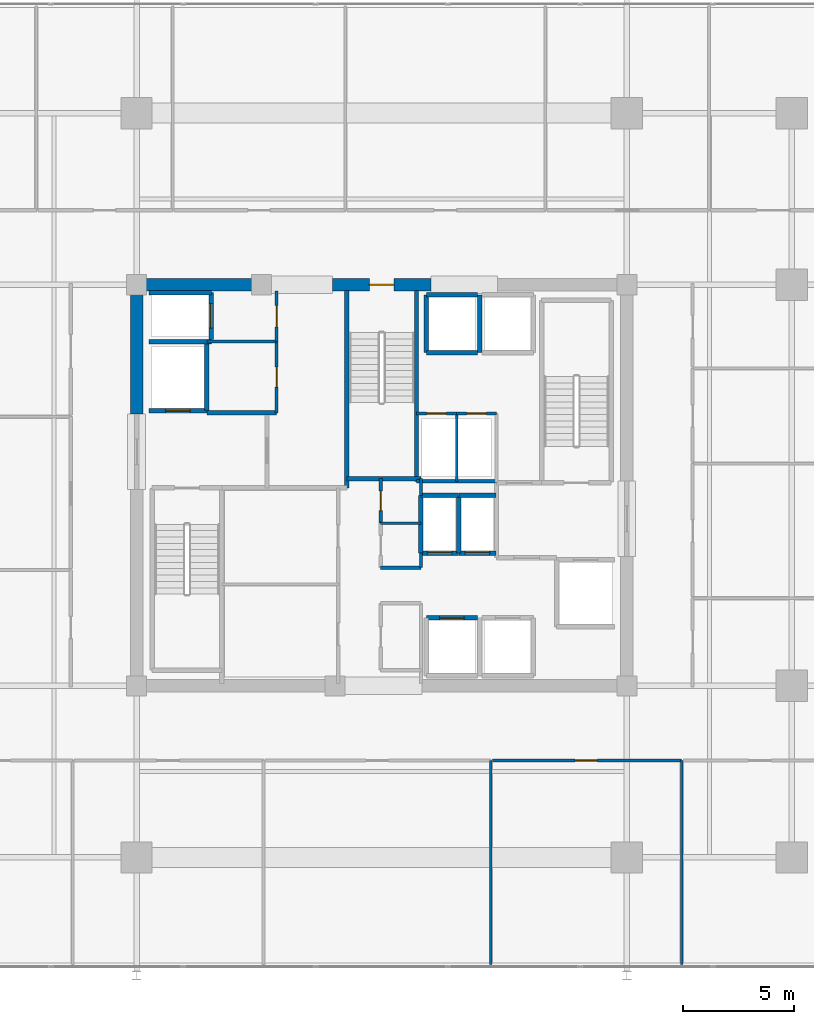
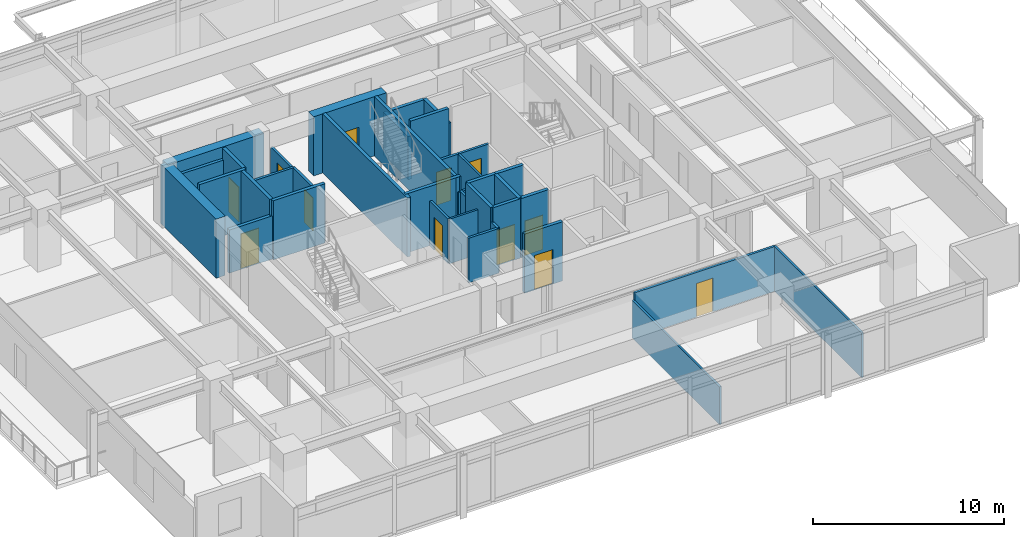
# One storey, part 15 of 21: 38 walls, 12 doors, 12 openings.
"""IFC4 building model written with IfcOpenShell, lengths in metres."""

from ifc_helpers import new_model, si_unit, direction, frame, frame_2d, origin, place, context, subcontext, project, spatial, rectangle, extrude, material, layer, layer_set, type_object, element, fill, save


model = new_model("IFC4")

# Units and contexts
model_context = context("Model", 3, precision=1e-05, world=origin(), true_north=direction((0.0, 1.0)))
body_context = subcontext(model_context, "Body", "Model", "MODEL_VIEW")
ifc_project = project(units=[si_unit("LENGTHUNIT", "METRE"), si_unit("AREAUNIT", "SQUARE_METRE"), si_unit("VOLUMEUNIT", "CUBIC_METRE"), si_unit("PLANEANGLEUNIT", "RADIAN"), si_unit("MASSUNIT", "GRAM", prefix="KILO")], contexts=[model_context])

# Site, building, storey
site_placement = place(None, origin())
site = spatial("IfcSite", under=ifc_project, at=site_placement, CompositionType="ELEMENT")
building_placement = place(site_placement, origin())
building = spatial("IfcBuilding", under=site, at=building_placement, Name="Kovane Verandah Tower", CompositionType="ELEMENT")
storey_placement = place(building_placement, frame((0.0, 0.0, 205.199951171875)))
storey = spatial("IfcBuildingStorey", under=building, at=storey_placement, Name="L47", CompositionType="ELEMENT", Elevation=205.199951171875)

# Walls
ifc_material_1 = material(Name="Fire-Rated Gypsum Stud Partition", Category="gypsum")
ifc_layer_1 = layer(ifc_material_1, 0.14990234375)
ifc_layer_set_1 = layer_set([ifc_layer_1], Name="Fire-Rated Gypsum Stud Partition")
wall_type_1 = type_object("IfcWallType", Name="WL-COR-150", PredefinedType="PARTITIONING", material=ifc_layer_set_1)
wall_1_placement = place(storey_placement, frame((39.949951171875, 23.800048828125, 0.0), z_axis=(0.0, 0.0, 1.0), x_axis=(1.0, 0.0, 0.0)))
element("IfcWall", 1, at=wall_1_placement, inside=storey, type_object=wall_type_1, Name="L47 Core Cross-Passage North Wall", PredefinedType="PARTITIONING", context=body_context, shape_type="SweptSolid", body=[
    extrude(rectangle(XDim=1.81005859375, YDim=0.14990234375, at=frame_2d((0.905029296875, 0.0))), origin(), (0.0, 0.0, 1.0), 2.85009765625),
])
wall_2_placement = place(storey_placement, frame((41.760009765625, 23.800048828125, 0.0), z_axis=(0.0, 0.0, 1.0), x_axis=(0.0, 1.0, 0.0)))
element("IfcWall", 2, at=wall_2_placement, inside=storey, type_object=wall_type_1, Name="L47 Central Core Strip Middle East Wall", PredefinedType="PARTITIONING", context=body_context, shape_type="SweptSolid", body=[
    extrude(rectangle(XDim=0.64990234375, YDim=0.14990234375, at=frame_2d((0.324951171875, 0.0))), origin(), (0.0, 0.0, 1.0), 2.85009765625),
])
wall_3_placement = place(storey_placement, frame((41.760009765625, 27.050048828125, 0.0), z_axis=(0.0, 0.0, 1.0), x_axis=(0.0, 1.0, 0.0)))
element("IfcWall", 3, at=wall_3_placement, inside=storey, type_object=wall_type_1, Name="L47 Central Core Strip Upper East Wall", PredefinedType="PARTITIONING", context=body_context, shape_type="SweptSolid", body=[
    extrude(rectangle(XDim=0.75, YDim=0.14990234375, at=frame_2d((0.375, 0.0))), origin(), (0.0, 0.0, 1.0), 2.85009765625),
])

# Wall, opening, door
wall_4_placement = place(storey_placement, frame((39.949951171875, 25.800048828125, 0.0), z_axis=(0.0, 0.0, 1.0), x_axis=(0.0, 1.0, 0.0)))
wall_4 = element("IfcWall", 4, at=wall_4_placement, inside=storey, type_object=wall_type_1, Name="L47 Electrical Riser Room Partition", PredefinedType="PARTITIONING", context=body_context, shape_type="SweptSolid", body=[
    extrude(rectangle(XDim=2.0, YDim=0.14990234375, at=frame_2d((1.0, 0.0))), origin(), (0.0, 0.0, 1.0), 2.85009765625),
])
opening_1_placement = place(wall_4_placement, frame((0.56005859375, 0.0, 0.0)))
opening_1 = element("IfcOpeningElement", 5, at=opening_1_placement, cuts=wall_4, Name="Opening DR-L47-031", PredefinedType="OPENING", context=body_context, shape_type="SweptSolid", body=[
    extrude(rectangle(XDim=0.8798828125, YDim=2.10009765625, at=frame_2d((0.43994140625, 1.050048828125))), frame((0.0, 0.074951171875, 0.0), z_axis=(0.0, -1.0, 0.0), x_axis=(1.0, 0.0, 0.0)), (0.0, 0.0, 1.0), 0.14990234375),
])
ifc_material_2 = material(Name="Fire-Rated Steel Riser Access Door", Category="steel")
door_type_1 = type_object("IfcDoorType", Name="DR-RISER-880", OperationType="SINGLE_SWING_LEFT", PredefinedType="DOOR", material=ifc_material_2)
door_1_placement = place(opening_1_placement, origin())
door_1 = element("IfcDoor", 6, at=door_1_placement, inside=storey, type_object=door_type_1, Name="L47 Electrical Riser Room Door", OperationType="SINGLE_SWING_LEFT", OverallHeight=2.10009765625, OverallWidth=0.8798828125, PredefinedType="DOOR", context=body_context, shape_type="SweptSolid", body=[
    extrude(rectangle(XDim=0.8798828125, YDim=2.10009765625, at=frame_2d((0.43994140625, 1.050048828125))), frame((0.0, 0.02490234375, 0.0), z_axis=(0.0, -1.0, 0.0), x_axis=(1.0, 0.0, 0.0)), (0.0, 0.0, 1.0), 0.050048828125),
])
fill(opening_1, door_1)

# Wall
wall_5_placement = place(storey_placement, frame((32.14990234375, 33.949951171875, 0.0), z_axis=(0.0, 0.0, 1.0), x_axis=(1.0, 0.0, 0.0)))
element("IfcWall", 7, at=wall_5_placement, inside=storey, type_object=wall_type_1, Name="L47 Goods Lift Lobby South Wall", PredefinedType="PARTITIONING", context=body_context, shape_type="SweptSolid", body=[
    extrude(rectangle(XDim=3.130126953125, YDim=0.14990234375, at=frame_2d((1.56494140625, 0.0))), origin(), (0.0, 0.0, 1.0), 2.85009765625),
])

# Wall, opening, door
wall_6_placement = place(storey_placement, frame((35.280029296875, 33.949951171875, 0.0), z_axis=(0.0, 0.0, 1.0), x_axis=(0.0, 1.0, 0.0)))
wall_6 = element("IfcWall", 8, at=wall_6_placement, inside=storey, type_object=wall_type_1, Name="L47 Goods Lift Lobby East Fire Partition", PredefinedType="PARTITIONING", context=body_context, shape_type="SweptSolid", body=[
    extrude(rectangle(XDim=2.27001953125, YDim=0.14990234375, at=frame_2d((1.135009765625, 0.0))), origin(), (0.0, 0.0, 1.0), 2.755126953125),
])
opening_2_placement = place(wall_6_placement, frame((0.659912109375, 0.0, 0.0)))
opening_2 = element("IfcOpeningElement", 9, at=opening_2_placement, cuts=wall_6, Name="Opening DR-L47-008", PredefinedType="OPENING", context=body_context, shape_type="SweptSolid", body=[
    extrude(rectangle(XDim=0.949951171875, YDim=2.14990234375, at=frame_2d((0.47509765625, 1.074951171875))), frame((0.0, 0.074951171875, 0.0), z_axis=(0.0, -1.0, 0.0), x_axis=(1.0, 0.0, 0.0)), (0.0, 0.0, 1.0), 0.14990234375),
])
ifc_material_3 = material(Name="Fire-Rated Steel Refuge and Lobby Door", Category="steel")
door_type_2 = type_object("IfcDoorType", Name="DR-FIRE-950", OperationType="SINGLE_SWING_LEFT", PredefinedType="DOOR", material=ifc_material_3)
door_2_placement = place(opening_2_placement, origin())
door_2 = element("IfcDoor", 10, at=door_2_placement, inside=storey, type_object=door_type_2, Name="L47 Goods Lift Lobby Fire Door", OperationType="SINGLE_SWING_RIGHT", OverallHeight=2.14990234375, OverallWidth=0.949951171875, PredefinedType="DOOR", context=body_context, shape_type="SweptSolid", body=[
    extrude(rectangle(XDim=0.949951171875, YDim=2.14990234375, at=frame_2d((0.47509765625, 1.074951171875))), frame((0.0, 0.02490234375, 0.0), z_axis=(0.0, -1.0, 0.0), x_axis=(1.0, 0.0, 0.0)), (0.0, 0.0, 1.0), 0.050048828125),
])
fill(opening_2, door_2)

wall_7_placement = place(storey_placement, frame((35.280029296875, 30.75, 0.0), z_axis=(0.0, 0.0, 1.0), x_axis=(0.0, 1.0, 0.0)))
wall_7 = element("IfcWall", 11, at=wall_7_placement, inside=storey, type_object=wall_type_1, Name="L47 Accessible Unisex Toilet Partition", PredefinedType="PARTITIONING", context=body_context, shape_type="SweptSolid", body=[
    extrude(rectangle(XDim=3.199951171875, YDim=0.14990234375, at=frame_2d((1.60009765625, 0.0))), origin(), (0.0, 0.0, 1.0), 2.85009765625),
])
opening_3_placement = place(wall_7_placement, frame((1.14990234375, 0.0, 0.0)))
opening_3 = element("IfcOpeningElement", 12, at=opening_3_placement, cuts=wall_7, Name="Opening DR-L47-032", PredefinedType="OPENING", context=body_context, shape_type="SweptSolid", body=[
    extrude(rectangle(XDim=0.89990234375, YDim=2.10009765625, at=frame_2d((0.449951171875, 1.050048828125))), frame((0.0, 0.074951171875, 0.0), z_axis=(0.0, -1.0, 0.0), x_axis=(1.0, 0.0, 0.0)), (0.0, 0.0, 1.0), 0.14990234375),
])
ifc_material_4 = material(Name="Moisture-Resistant Laminate Washroom Door", Category="wood")
door_type_3 = type_object("IfcDoorType", Name="DR-WC-900", OperationType="SINGLE_SWING_LEFT", PredefinedType="DOOR", material=ifc_material_4)
door_3_placement = place(opening_3_placement, origin())
door_3 = element("IfcDoor", 13, at=door_3_placement, inside=storey, type_object=door_type_3, Name="L47 Accessible Unisex Toilet Door", OperationType="SINGLE_SWING_LEFT", OverallHeight=2.10009765625, OverallWidth=0.89990234375, PredefinedType="DOOR", context=body_context, shape_type="SweptSolid", body=[
    extrude(rectangle(XDim=0.89990234375, YDim=2.10009765625, at=frame_2d((0.449951171875, 1.050048828125))), frame((0.0, 0.02490234375, 0.0), z_axis=(0.0, -1.0, 0.0), x_axis=(1.0, 0.0, 0.0)), (0.0, 0.0, 1.0), 0.050048828125),
])
fill(opening_3, door_3)

# Wall
wall_8_placement = place(storey_placement, frame((41.56005859375, 27.679931640625, 0.0), z_axis=(0.0, 0.0, 1.0), x_axis=(1.0, 0.0, 0.0)))
element("IfcWall", 14, at=wall_8_placement, inside=storey, type_object=wall_type_1, Name="L47 East Core Service Riser South Wall", PredefinedType="PARTITIONING", context=body_context, shape_type="SweptSolid", body=[
    extrude(rectangle(XDim=3.58984375, YDim=0.14990234375, at=frame_2d((1.794921875, 0.0))), origin(), (0.0, 0.0, 1.0), 2.85009765625),
])

# Wall, opening, door
wall_9_placement = place(storey_placement, frame((41.56005859375, 30.719970703125, 0.0), z_axis=(0.0, 0.0, 1.0), x_axis=(1.0, 0.0, 0.0)))
wall_9 = element("IfcWall", 15, at=wall_9_placement, inside=storey, type_object=wall_type_1, Name="L47 Chilled Water Riser Room Partition", PredefinedType="PARTITIONING", context=body_context, shape_type="SweptSolid", body=[
    extrude(rectangle(XDim=1.800048828125, YDim=0.14990234375, at=frame_2d((0.89990234375, 0.0))), origin(), (0.0, 0.0, 1.0), 2.85009765625),
])
opening_4_placement = place(wall_9_placement, frame((0.4599609375, 0.0, 0.0)))
opening_4 = element("IfcOpeningElement", 16, at=opening_4_placement, cuts=wall_9, Name="Opening DR-L47-018", PredefinedType="OPENING", context=body_context, shape_type="SweptSolid", body=[
    extrude(rectangle(XDim=0.8798828125, YDim=2.10009765625, at=frame_2d((0.43994140625, 1.050048828125))), frame((0.0, 0.074951171875, 0.0), z_axis=(0.0, -1.0, 0.0), x_axis=(1.0, 0.0, 0.0)), (0.0, 0.0, 1.0), 0.14990234375),
])
door_4_placement = place(opening_4_placement, origin())
door_4 = element("IfcDoor", 17, at=door_4_placement, inside=storey, type_object=door_type_1, Name="L47 Chilled Water Riser Room Door", OperationType="SINGLE_SWING_RIGHT", OverallHeight=2.10009765625, OverallWidth=0.8798828125, PredefinedType="DOOR", context=body_context, shape_type="SweptSolid", body=[
    extrude(rectangle(XDim=0.8798828125, YDim=2.10009765625, at=frame_2d((0.43994140625, 1.050048828125))), frame((0.0, 0.02490234375, 0.0), z_axis=(0.0, -1.0, 0.0), x_axis=(1.0, 0.0, 0.0)), (0.0, 0.0, 1.0), 0.050048828125),
])
fill(opening_4, door_4)

wall_10_placement = place(storey_placement, frame((43.360107421875, 30.719970703125, 0.0), z_axis=(0.0, 0.0, 1.0), x_axis=(1.0, 0.0, 0.0)))
wall_10 = element("IfcWall", 18, at=wall_10_placement, inside=storey, type_object=wall_type_1, Name="L47 Smoke Extract Duct Room Partition", PredefinedType="PARTITIONING", context=body_context, shape_type="SweptSolid", body=[
    extrude(rectangle(XDim=1.789794921875, YDim=0.14990234375, at=frame_2d((0.89501953125, 0.0))), origin(), (0.0, 0.0, 1.0), 2.85009765625),
])
opening_5_placement = place(wall_10_placement, frame((0.455078125, 0.0, 0.0)))
opening_5 = element("IfcOpeningElement", 19, at=opening_5_placement, cuts=wall_10, Name="Opening DR-L47-019", PredefinedType="OPENING", context=body_context, shape_type="SweptSolid", body=[
    extrude(rectangle(XDim=0.8798828125, YDim=2.10009765625, at=frame_2d((0.43994140625, 1.050048828125))), frame((0.0, 0.074951171875, 0.0), z_axis=(0.0, -1.0, 0.0), x_axis=(1.0, 0.0, 0.0)), (0.0, 0.0, 1.0), 0.14990234375),
])
door_5_placement = place(opening_5_placement, origin())
door_5 = element("IfcDoor", 20, at=door_5_placement, inside=storey, type_object=door_type_1, Name="L47 Smoke Extract Duct Room Door", OperationType="SINGLE_SWING_LEFT", OverallHeight=2.10009765625, OverallWidth=0.8798828125, PredefinedType="DOOR", context=body_context, shape_type="SweptSolid", body=[
    extrude(rectangle(XDim=0.8798828125, YDim=2.10009765625, at=frame_2d((0.43994140625, 1.050048828125))), frame((0.0, 0.02490234375, 0.0), z_axis=(0.0, -1.0, 0.0), x_axis=(1.0, 0.0, 0.0)), (0.0, 0.0, 1.0), 0.050048828125),
])
fill(opening_5, door_5)

wall_11_placement = place(storey_placement, frame((44.966064453125, 15.14990234375, 0.0), z_axis=(0.0, 0.0, 1.0), x_axis=(1.0, 0.0, 0.0)))
wall_11 = element("IfcWall", 21, at=wall_11_placement, inside=storey, type_object=wall_type_1, Name="L47 Collaboration Hub S4 Corridor Partition", PredefinedType="PARTITIONING", context=body_context, shape_type="SweptSolid", body=[
    extrude(rectangle(XDim=8.498046875, YDim=0.14990234375, at=frame_2d((4.2490234375, 0.0))), origin(), (0.0, 0.0, 1.0), 2.85009765625),
])
opening_6_placement = place(wall_11_placement, frame((3.714111328125, 0.0, 0.0)))
opening_6 = element("IfcOpeningElement", 22, at=opening_6_placement, cuts=wall_11, Name="Opening DR-L47-029", PredefinedType="OPENING", context=body_context, shape_type="SweptSolid", body=[
    extrude(rectangle(XDim=1.0, YDim=2.14990234375, at=frame_2d((0.5, 1.074951171875))), frame((0.0, 0.074951171875, 0.0), z_axis=(0.0, -1.0, 0.0), x_axis=(1.0, 0.0, 0.0)), (0.0, 0.0, 1.0), 0.14990234375),
])
ifc_material_5 = material(Name="FSC Spotted-Gum Timber Fire-Rated Office Door", Category="wood")
door_type_4 = type_object("IfcDoorType", Name="DR-OFF-1000", OperationType="SINGLE_SWING_LEFT", PredefinedType="DOOR", material=ifc_material_5)
door_6_placement = place(opening_6_placement, origin())
door_6 = element("IfcDoor", 23, at=door_6_placement, inside=storey, type_object=door_type_4, Name="L47 Collaboration Hub S4 Entrance Door", OperationType="SINGLE_SWING_LEFT", OverallHeight=2.14990234375, OverallWidth=1.0, PredefinedType="DOOR", context=body_context, shape_type="SweptSolid", body=[
    extrude(rectangle(XDim=1.0, YDim=2.14990234375, at=frame_2d((0.5, 1.074951171875))), frame((0.0, 0.02490234375, 0.0), z_axis=(0.0, -1.0, 0.0), x_axis=(1.0, 0.0, 0.0)), (0.0, 0.0, 1.0), 0.050048828125),
])
fill(opening_6, door_6)

# Wall
ifc_material_6 = material(Name="Concrete C60/75", Category="concrete")
ifc_layer_2 = layer(ifc_material_6, 0.550048828125)
ifc_layer_set_2 = layer_set([ifc_layer_2], Name="Concrete C60/75")
wall_type_2 = type_object("IfcWallType", Name="WL-CORE-550", PredefinedType="SHEAR", material=ifc_layer_set_2)
wall_12_placement = place(storey_placement, frame((29.0, 36.5, 0.0), z_axis=(0.0, 0.0, 1.0), x_axis=(1.0, 0.0, 0.0)))
element("IfcWall", 24, at=wall_12_placement, inside=storey, type_object=wall_type_2, Name="L47 Core Shear Wall CN-1", PredefinedType="SHEAR", context=body_context, shape_type="SweptSolid", body=[
    extrude(rectangle(XDim=5.800048828125, YDim=0.550048828125, at=frame_2d((2.89990234375, 0.0))), origin(), (0.0, 0.0, 1.0), 3.775146484375),
])

# Wall, opening, door
wall_13_placement = place(storey_placement, frame((37.800048828125, 36.5, 0.0), z_axis=(0.0, 0.0, 1.0), x_axis=(1.0, 0.0, 0.0)))
wall_13 = element("IfcWall", 25, at=wall_13_placement, inside=storey, type_object=wall_type_2, Name="L47 Core Shear Wall CN-2", PredefinedType="SHEAR", context=body_context, shape_type="SweptSolid", body=[
    extrude(rectangle(XDim=4.39990234375, YDim=0.550048828125, at=frame_2d((2.199951171875, 0.0))), origin(), (0.0, 0.0, 1.0), 3.775146484375),
])
opening_7_placement = place(wall_13_placement, frame((1.64990234375, 0.0, 0.0)))
opening_7 = element("IfcOpeningElement", 26, at=opening_7_placement, cuts=wall_13, Name="Opening DR-L47-011", PredefinedType="OPENING", context=body_context, shape_type="SweptSolid", body=[
    extrude(rectangle(XDim=1.10009765625, YDim=2.14990234375, at=frame_2d((0.550048828125, 1.074951171875))), frame((0.0, 0.27490234375, 0.0), z_axis=(0.0, -1.0, 0.0), x_axis=(1.0, 0.0, 0.0)), (0.0, 0.0, 1.0), 0.550048828125),
])
ifc_material_7 = material(Name="Fire-Rated Steel Exit Door", Category="steel")
door_type_5 = type_object("IfcDoorType", Name="DR-STAIR-1100", OperationType="SINGLE_SWING_LEFT", PredefinedType="DOOR", material=ifc_material_7)
door_7_placement = place(opening_7_placement, origin())
door_7 = element("IfcDoor", 27, at=door_7_placement, inside=storey, type_object=door_type_5, Name="L47 ST-03 Fire Exit Stair Door", OperationType="SINGLE_SWING_RIGHT", OverallHeight=2.14990234375, OverallWidth=1.10009765625, PredefinedType="DOOR", context=body_context, shape_type="SweptSolid", body=[
    extrude(rectangle(XDim=1.10009765625, YDim=2.14990234375, at=frame_2d((0.550048828125, 1.074951171875))), frame((0.0, 0.02490234375, 0.0), z_axis=(0.0, -1.0, 0.0), x_axis=(1.0, 0.0, 0.0)), (0.0, 0.0, 1.0), 0.050048828125),
])
fill(opening_7, door_7)

# Walls
wall_14_placement = place(storey_placement, frame((29.0, 30.699951171875, 0.0), z_axis=(0.0, 0.0, 1.0), x_axis=(0.0, 1.0, 0.0)))
element("IfcWall", 28, at=wall_14_placement, inside=storey, type_object=wall_type_2, Name="L47 Core Shear Wall CW-2", PredefinedType="SHEAR", context=body_context, shape_type="SweptSolid", body=[
    extrude(rectangle(XDim=5.800048828125, YDim=0.550048828125, at=frame_2d((2.89990234375, 0.0))), origin(), (0.0, 0.0, 1.0), 3.775146484375),
])
ifc_material_8 = material(Name="Concrete C45/55 Fire Wall", Category="concrete")
ifc_layer_3 = layer(ifc_material_8, 0.199951171875)
ifc_layer_set_3 = layer_set([ifc_layer_3], Name="Concrete C45/55 Fire Wall")
wall_type_3 = type_object("IfcWallType", Name="WL-FFL-200", PredefinedType="PARTITIONING", material=ifc_layer_set_3)
wall_15_placement = place(storey_placement, frame((32.14990234375, 30.75, 0.0), z_axis=(0.0, 0.0, 1.0), x_axis=(1.0, 0.0, 0.0)))
element("IfcWall", 29, at=wall_15_placement, inside=storey, type_object=wall_type_3, Name="L47 West Firefighting Lobby North Fire Wall", PredefinedType="PARTITIONING", context=body_context, shape_type="SweptSolid", body=[
    extrude(rectangle(XDim=3.130126953125, YDim=0.199951171875, at=frame_2d((1.56494140625, 0.0))), origin(), (0.0, 0.0, 1.0), 3.775146484375),
])

# Wall, opening, door
ifc_material_9 = material(Name="Concrete C45/55 Lift Shaft Wall", Category="concrete")
ifc_layer_4 = layer(ifc_material_9, 0.199951171875)
ifc_layer_set_4 = layer_set([ifc_layer_4], Name="Concrete C45/55 Lift Shaft Wall")
wall_type_4 = type_object("IfcWallType", Name="WL-LIFT-200", PredefinedType="SOLIDWALL", material=ifc_layer_set_4)
wall_16_placement = place(storey_placement, frame((29.550048828125, 30.85009765625, 0.0), z_axis=(0.0, 0.0, 1.0), x_axis=(1.0, 0.0, 0.0)))
wall_16 = element("IfcWall", 30, at=wall_16_placement, inside=storey, type_object=wall_type_4, Name="L47 Lift FL-01 S Shaft Wall", PredefinedType="SOLIDWALL", context=body_context, shape_type="SweptSolid", body=[
    extrude(rectangle(XDim=2.599853515625, YDim=0.199951171875, at=frame_2d((1.2998046875, 0.0))), origin(), (0.0, 0.0, 1.0), 2.755126953125),
])
opening_8_placement = place(wall_16_placement, frame((0.75, 0.0, 0.0)))
opening_8 = element("IfcOpeningElement", 31, at=opening_8_placement, cuts=wall_16, Name="Opening LD-L47-001", PredefinedType="OPENING", context=body_context, shape_type="SweptSolid", body=[
    extrude(rectangle(XDim=1.10009765625, YDim=2.199951171875, at=frame_2d((0.550048828125, 1.10009765625))), frame((0.0, 0.10009765625, 0.0), z_axis=(0.0, -1.0, 0.0), x_axis=(1.0, 0.0, 0.0)), (0.0, 0.0, 1.0), 0.199951171875),
])
ifc_material_10 = material(Name="Brushed Stainless Steel Sliding Lift Landing Door", Category="steel")
door_type_6 = type_object("IfcDoorType", Name="DR-LIFT-1100", OperationType="SLIDING_TO_RIGHT", PredefinedType="DOOR", material=ifc_material_10)
door_8_placement = place(opening_8_placement, origin())
door_8 = element("IfcDoor", 32, at=door_8_placement, inside=storey, type_object=door_type_6, Name="L47 Lift FL-01 Sliding Landing Door", OperationType="SLIDING_TO_RIGHT", OverallHeight=2.199951171875, OverallWidth=1.10009765625, PredefinedType="DOOR", context=body_context, shape_type="SweptSolid", body=[
    extrude(rectangle(XDim=1.10009765625, YDim=2.199951171875, at=frame_2d((0.550048828125, 1.10009765625))), frame((0.0, 0.02490234375, 0.0), z_axis=(0.0, -1.0, 0.0), x_axis=(1.0, 0.0, 0.0)), (0.0, 0.0, 1.0), 0.050048828125),
])
fill(opening_8, door_8)

# Walls
wall_17_placement = place(storey_placement, frame((29.550048828125, 33.949951171875, 0.0), z_axis=(0.0, 0.0, 1.0), x_axis=(1.0, 0.0, 0.0)))
element("IfcWall", 33, at=wall_17_placement, inside=storey, type_object=wall_type_4, Name="L47 Lift FL-01 and GL-01 Shared Shaft Wall", PredefinedType="SOLIDWALL", context=body_context, shape_type="SweptSolid", body=[
    extrude(rectangle(XDim=2.800048828125, YDim=0.199951171875, at=frame_2d((1.39990234375, 0.0))), origin(), (0.0, 0.0, 1.0), 3.775146484375),
])
wall_18_placement = place(storey_placement, frame((32.14990234375, 30.85009765625, 0.0), z_axis=(0.0, 0.0, 1.0), x_axis=(0.0, 1.0, 0.0)))
element("IfcWall", 34, at=wall_18_placement, inside=storey, type_object=wall_type_4, Name="L47 Lift FL-01 E Shaft Wall", PredefinedType="SOLIDWALL", context=body_context, shape_type="SweptSolid", body=[
    extrude(rectangle(XDim=3.0, YDim=0.199951171875, at=frame_2d((1.5, 0.0))), origin(), (0.0, 0.0, 1.0), 3.775146484375),
])
wall_19_placement = place(storey_placement, frame((32.35009765625, 36.14990234375, 0.0), z_axis=(0.0, 0.0, 1.0), x_axis=(-1.0, 0.0, 0.0)))
element("IfcWall", 35, at=wall_19_placement, inside=storey, type_object=wall_type_4, Name="L47 Lift GL-01 N Shaft Wall", PredefinedType="SOLIDWALL", context=body_context, shape_type="SweptSolid", body=[
    extrude(rectangle(XDim=2.800048828125, YDim=0.199951171875, at=frame_2d((1.39990234375, 0.0))), origin(), (0.0, 0.0, 1.0), 3.06201171875),
])

# Wall, opening, door
wall_20_placement = place(storey_placement, frame((32.35009765625, 34.050048828125, 0.0), z_axis=(0.0, 0.0, 1.0), x_axis=(0.0, 1.0, 0.0)))
wall_20 = element("IfcWall", 36, at=wall_20_placement, inside=storey, type_object=wall_type_4, Name="L47 Lift GL-01 E Shaft Wall", PredefinedType="SOLIDWALL", context=body_context, shape_type="SweptSolid", body=[
    extrude(rectangle(XDim=2.099853515625, YDim=0.199951171875, at=frame_2d((1.0498046875, 0.0))), origin(), (0.0, 0.0, 1.0), 3.775146484375),
])
opening_9_placement = place(wall_20_placement, frame((0.5, 0.0, 0.0)))
opening_9 = element("IfcOpeningElement", 37, at=opening_9_placement, cuts=wall_20, Name="Opening LD-L47-003", PredefinedType="OPENING", context=body_context, shape_type="SweptSolid", body=[
    extrude(rectangle(XDim=1.10009765625, YDim=2.199951171875, at=frame_2d((0.550048828125, 1.10009765625))), frame((0.0, 0.10009765625, 0.0), z_axis=(0.0, -1.0, 0.0), x_axis=(1.0, 0.0, 0.0)), (0.0, 0.0, 1.0), 0.199951171875),
])
door_9_placement = place(opening_9_placement, origin())
door_9 = element("IfcDoor", 38, at=door_9_placement, inside=storey, type_object=door_type_6, Name="L47 Lift GL-01 Sliding Landing Door", OperationType="SLIDING_TO_RIGHT", OverallHeight=2.199951171875, OverallWidth=1.10009765625, PredefinedType="DOOR", context=body_context, shape_type="SweptSolid", body=[
    extrude(rectangle(XDim=1.10009765625, YDim=2.199951171875, at=frame_2d((0.550048828125, 1.10009765625))), frame((0.0, 0.02490234375, 0.0), z_axis=(0.0, -1.0, 0.0), x_axis=(1.0, 0.0, 0.0)), (0.0, 0.0, 1.0), 0.050048828125),
])
fill(opening_9, door_9)

wall_21_placement = place(storey_placement, frame((44.300048828125, 21.550048828125, 0.0), z_axis=(0.0, 0.0, 1.0), x_axis=(-1.0, 0.0, 0.0)))
wall_21 = element("IfcWall", 39, at=wall_21_placement, inside=storey, type_object=wall_type_4, Name="L47 Lift PL-M1 N Shaft Wall", PredefinedType="SOLIDWALL", context=body_context, shape_type="SweptSolid", body=[
    extrude(rectangle(XDim=2.300048828125, YDim=0.199951171875, at=frame_2d((1.14990234375, 0.0))), origin(), (0.0, 0.0, 1.0), 3.775146484375),
])
opening_10_placement = place(wall_21_placement, frame((0.60009765625, 0.0, 0.0)))
opening_10 = element("IfcOpeningElement", 40, at=opening_10_placement, cuts=wall_21, Name="Opening LD-L47-004", PredefinedType="OPENING", context=body_context, shape_type="SweptSolid", body=[
    extrude(rectangle(XDim=1.10009765625, YDim=2.199951171875, at=frame_2d((0.550048828125, 1.10009765625))), frame((0.0, 0.10009765625, 0.0), z_axis=(0.0, -1.0, 0.0), x_axis=(1.0, 0.0, 0.0)), (0.0, 0.0, 1.0), 0.199951171875),
])
door_10_placement = place(opening_10_placement, origin())
door_10 = element("IfcDoor", 41, at=door_10_placement, inside=storey, type_object=door_type_6, Name="L47 Lift PL-M1 Sliding Landing Door", OperationType="SLIDING_TO_RIGHT", OverallHeight=2.199951171875, OverallWidth=1.10009765625, PredefinedType="DOOR", context=body_context, shape_type="SweptSolid", body=[
    extrude(rectangle(XDim=1.10009765625, YDim=2.199951171875, at=frame_2d((0.550048828125, 1.10009765625))), frame((0.0, 0.02490234375, 0.0), z_axis=(0.0, -1.0, 0.0), x_axis=(1.0, 0.0, 0.0)), (0.0, 0.0, 1.0), 0.050048828125),
])
fill(opening_10, door_10)

wall_22_placement = place(storey_placement, frame((41.760009765625, 24.449951171875, 0.0), z_axis=(0.0, 0.0, 1.0), x_axis=(1.0, 0.0, 0.0)))
wall_22 = element("IfcWall", 42, at=wall_22_placement, inside=storey, type_object=wall_type_4, Name="L47 Lift PL-M3 S Shaft Wall", PredefinedType="SOLIDWALL", context=body_context, shape_type="SweptSolid", body=[
    extrude(rectangle(XDim=1.679931640625, YDim=0.199951171875, at=frame_2d((0.83984375, 0.0))), origin(), (0.0, 0.0, 1.0), 3.775146484375),
])
opening_11_placement = place(wall_22_placement, frame((0.2900390625, 0.0, 0.0)))
opening_11 = element("IfcOpeningElement", 43, at=opening_11_placement, cuts=wall_22, Name="Opening LD-L47-006", PredefinedType="OPENING", context=body_context, shape_type="SweptSolid", body=[
    extrude(rectangle(XDim=1.10009765625, YDim=2.199951171875, at=frame_2d((0.550048828125, 1.10009765625))), frame((0.0, 0.10009765625, 0.0), z_axis=(0.0, -1.0, 0.0), x_axis=(1.0, 0.0, 0.0)), (0.0, 0.0, 1.0), 0.199951171875),
])
door_11_placement = place(opening_11_placement, origin())
door_11 = element("IfcDoor", 44, at=door_11_placement, inside=storey, type_object=door_type_6, Name="L47 Lift PL-M3 Sliding Landing Door", OperationType="SLIDING_TO_RIGHT", OverallHeight=2.199951171875, OverallWidth=1.10009765625, PredefinedType="DOOR", context=body_context, shape_type="SweptSolid", body=[
    extrude(rectangle(XDim=1.10009765625, YDim=2.199951171875, at=frame_2d((0.550048828125, 1.10009765625))), frame((0.0, 0.02490234375, 0.0), z_axis=(0.0, -1.0, 0.0), x_axis=(1.0, 0.0, 0.0)), (0.0, 0.0, 1.0), 0.050048828125),
])
fill(opening_11, door_11)

# Walls
wall_23_placement = place(storey_placement, frame((43.43994140625, 27.050048828125, 0.0), z_axis=(0.0, 0.0, 1.0), x_axis=(-1.0, 0.0, 0.0)))
element("IfcWall", 45, at=wall_23_placement, inside=storey, type_object=wall_type_4, Name="L47 Lift PL-M3 N Shaft Wall", PredefinedType="SOLIDWALL", context=body_context, shape_type="SweptSolid", body=[
    extrude(rectangle(XDim=1.679931640625, YDim=0.199951171875, at=frame_2d((0.83984375, 0.0))), origin(), (0.0, 0.0, 1.0), 3.775146484375),
])
for number, where, z_axis, x_axis, name in (
    (46, (41.760009765625, 27.050048828125, 0.0), (0.0, 0.0, 1.0), (0.0, -1.0, 0.0), "L47 Lift PL-M3 W Shaft Wall"),
    (47, (43.449951171875, 24.449951171875, 0.0), (0.0, 0.0, 1.0), (0.0, 1.0, 0.0), "L47 Lift PL-M3 and PL-M4 Shared Shaft Wall"),
):
    element("IfcWall", number, at=place(storey_placement, frame(where, z_axis=z_axis, x_axis=x_axis)), inside=storey, type_object=wall_type_4, Name=name, PredefinedType="SOLIDWALL", context=body_context, shape_type="SweptSolid", body=[
        extrude(rectangle(XDim=2.60009765625, YDim=0.199951171875, at=frame_2d((1.300048828125, 0.0))), origin(), (0.0, 0.0, 1.0), 3.775146484375),
    ])

# Wall, opening, door
wall_24_placement = place(storey_placement, frame((43.4599609375, 24.449951171875, 0.0), z_axis=(0.0, 0.0, 1.0), x_axis=(1.0, 0.0, 0.0)))
wall_24 = element("IfcWall", 48, at=wall_24_placement, inside=storey, type_object=wall_type_4, Name="L47 Lift PL-M4 S Shaft Wall", PredefinedType="SOLIDWALL", context=body_context, shape_type="SweptSolid", body=[
    extrude(rectangle(XDim=1.66015625, YDim=0.199951171875, at=frame_2d((0.830078125, 0.0))), origin(), (0.0, 0.0, 1.0), 3.775146484375),
])
opening_12_placement = place(wall_24_placement, frame((0.280029296875, 0.0, 0.0)))
opening_12 = element("IfcOpeningElement", 49, at=opening_12_placement, cuts=wall_24, Name="Opening LD-L47-007", PredefinedType="OPENING", context=body_context, shape_type="SweptSolid", body=[
    extrude(rectangle(XDim=1.10009765625, YDim=2.199951171875, at=frame_2d((0.550048828125, 1.10009765625))), frame((0.0, 0.10009765625, 0.0), z_axis=(0.0, -1.0, 0.0), x_axis=(1.0, 0.0, 0.0)), (0.0, 0.0, 1.0), 0.199951171875),
])
door_12_placement = place(opening_12_placement, origin())
door_12 = element("IfcDoor", 50, at=door_12_placement, inside=storey, type_object=door_type_6, Name="L47 Lift PL-M4 Sliding Landing Door", OperationType="SLIDING_TO_RIGHT", OverallHeight=2.199951171875, OverallWidth=1.10009765625, PredefinedType="DOOR", context=body_context, shape_type="SweptSolid", body=[
    extrude(rectangle(XDim=1.10009765625, YDim=2.199951171875, at=frame_2d((0.550048828125, 1.10009765625))), frame((0.0, 0.02490234375, 0.0), z_axis=(0.0, -1.0, 0.0), x_axis=(1.0, 0.0, 0.0)), (0.0, 0.0, 1.0), 0.050048828125),
])
fill(opening_12, door_12)

# Walls
wall_25_placement = place(storey_placement, frame((45.1201171875, 27.050048828125, 0.0), z_axis=(0.0, 0.0, 1.0), x_axis=(-1.0, 0.0, 0.0)))
element("IfcWall", 51, at=wall_25_placement, inside=storey, type_object=wall_type_4, Name="L47 Lift PL-M4 N Shaft Wall", PredefinedType="SOLIDWALL", context=body_context, shape_type="SweptSolid", body=[
    extrude(rectangle(XDim=1.66015625, YDim=0.199951171875, at=frame_2d((0.830078125, 0.0))), origin(), (0.0, 0.0, 1.0), 3.775146484375),
])
wall_26_placement = place(storey_placement, frame((42.0, 33.449951171875, 0.0), z_axis=(0.0, 0.0, 1.0), x_axis=(1.0, 0.0, 0.0)))
element("IfcWall", 52, at=wall_26_placement, inside=storey, type_object=wall_type_4, Name="L47 Lift SL-01 S Shaft Wall", PredefinedType="SOLIDWALL", context=body_context, shape_type="SweptSolid", body=[
    extrude(rectangle(XDim=2.300048828125, YDim=0.199951171875, at=frame_2d((1.14990234375, 0.0))), origin(), (0.0, 0.0, 1.0), 3.775146484375),
])
wall_27_placement = place(storey_placement, frame((44.300048828125, 36.050048828125, 0.0), z_axis=(0.0, 0.0, 1.0), x_axis=(-1.0, 0.0, 0.0)))
element("IfcWall", 53, at=wall_27_placement, inside=storey, type_object=wall_type_4, Name="L47 Lift SL-01 N Shaft Wall", PredefinedType="SOLIDWALL", context=body_context, shape_type="SweptSolid", body=[
    extrude(rectangle(XDim=2.300048828125, YDim=0.199951171875, at=frame_2d((1.14990234375, 0.0))), origin(), (0.0, 0.0, 1.0), 2.755126953125),
])
for number, where, z_axis, x_axis, name in (
    (54, (42.0, 36.050048828125, 0.0), (0.0, 0.0, 1.0), (0.0, -1.0, 0.0), "L47 Lift SL-01 W Shaft Wall"),
    (55, (44.39990234375, 33.449951171875, 0.0), (0.0, 0.0, 1.0), (0.0, 1.0, 0.0), "L47 Lift OL-01 and SL-01 Shared Shaft Wall"),
):
    element("IfcWall", number, at=place(storey_placement, frame(where, z_axis=z_axis, x_axis=x_axis)), inside=storey, type_object=wall_type_4, Name=name, PredefinedType="SOLIDWALL", context=body_context, shape_type="SweptSolid", body=[
        extrude(rectangle(XDim=2.60009765625, YDim=0.199951171875, at=frame_2d((1.300048828125, 0.0))), origin(), (0.0, 0.0, 1.0), 2.755126953125),
    ])
ifc_material_11 = material(Name="Acoustic Fire-Rated Gypsum Partition", Category="gypsum")
ifc_layer_5 = layer(ifc_material_11, 0.1201171875)
ifc_layer_set_5 = layer_set([ifc_layer_5], Name="Acoustic Fire-Rated Gypsum Partition")
wall_type_5 = type_object("IfcWallType", Name="WL-PART-120", PredefinedType="PARTITIONING", material=ifc_layer_set_5)
wall_28_placement = place(storey_placement, frame((39.949951171875, 25.800048828125, 0.0), z_axis=(0.0, 0.0, 1.0), x_axis=(1.0, 0.0, 0.0)))
element("IfcWall", 56, at=wall_28_placement, inside=storey, type_object=wall_type_5, Name="L47 Central Core Strip Upper Dividing Partition", PredefinedType="PARTITIONING", context=body_context, shape_type="SweptSolid", body=[
    extrude(rectangle(XDim=1.81005859375, YDim=0.1201171875, at=frame_2d((0.905029296875, 0.0))), origin(), (0.0, 0.0, 1.0), 2.85009765625),
])
wall_29_placement = place(storey_placement, frame((43.360107421875, 27.679931640625, 0.0), z_axis=(0.0, 0.0, 1.0), x_axis=(0.0, 1.0, 0.0)))
element("IfcWall", 57, at=wall_29_placement, inside=storey, type_object=wall_type_5, Name="L47 Service Riser Dividing Partition", PredefinedType="PARTITIONING", context=body_context, shape_type="SweptSolid", body=[
    extrude(rectangle(XDim=3.0400390625, YDim=0.1201171875, at=frame_2d((1.52001953125, 0.0))), origin(), (0.0, 0.0, 1.0), 2.85009765625),
])
wall_30_placement = place(storey_placement, frame((44.89599609375, 6.0, 0.0), z_axis=(0.0, 0.0, 1.0), x_axis=(0.0, 1.0, 0.0)))
element("IfcWall", 58, at=wall_30_placement, inside=storey, type_object=wall_type_5, Name="L47 Breakout Pantry S3 Dividing Partition", PredefinedType="PARTITIONING", context=body_context, shape_type="SweptSolid", body=[
    extrude(rectangle(XDim=9.14990234375, YDim=0.1201171875, at=frame_2d((4.574951171875, 0.0))), origin(), (0.0, 0.0, 1.0), 2.405029296875),
])
wall_31_placement = place(storey_placement, frame((53.464111328125, 6.0, 0.0), z_axis=(0.0, 0.0, 1.0), x_axis=(0.0, 1.0, 0.0)))
element("IfcWall", 59, at=wall_31_placement, inside=storey, type_object=wall_type_5, Name="L47 Collaboration Hub S4 Dividing Partition", PredefinedType="PARTITIONING", context=body_context, shape_type="SweptSolid", body=[
    extrude(rectangle(XDim=9.14990234375, YDim=0.1201171875, at=frame_2d((4.574951171875, 0.0))), origin(), (0.0, 0.0, 1.0), 2.85009765625),
])
ifc_material_12 = material(Name="Concrete C45/55", Category="concrete")
ifc_layer_6 = layer(ifc_material_12, 0.199951171875)
ifc_layer_set_6 = layer_set([ifc_layer_6], Name="Concrete C45/55")
wall_type_6 = type_object("IfcWallType", Name="WL-SHAFT-200", PredefinedType="SOLIDWALL", material=ifc_layer_set_6)
wall_32_placement = place(storey_placement, frame((38.43994140625, 27.3798828125, 0.0), z_axis=(0.0, 0.0, 1.0), x_axis=(0.0, 1.0, 0.0)))
element("IfcWall", 60, at=wall_32_placement, inside=storey, type_object=wall_type_6, Name="W-L47-ST03-W", PredefinedType="SOLIDWALL", context=body_context, shape_type="SweptSolid", body=[
    extrude(rectangle(XDim=8.8701171875, YDim=0.199951171875, at=frame_2d((4.43505859375, 0.0))), origin(), (0.0, 0.0, 1.0), 3.775146484375),
])
wall_33_placement = place(storey_placement, frame((41.56005859375, 27.679931640625, 0.0), z_axis=(0.0, 0.0, 1.0), x_axis=(0.0, 1.0, 0.0)))
element("IfcWall", 61, at=wall_33_placement, inside=storey, type_object=wall_type_6, Name="W-L47-ST03-E", PredefinedType="SOLIDWALL", context=body_context, shape_type="SweptSolid", body=[
    extrude(rectangle(XDim=8.570068359375, YDim=0.199951171875, at=frame_2d((4.28515625, 0.0))), origin(), (0.0, 0.0, 1.0), 3.775146484375),
])
wall_34_placement = place(storey_placement, frame((38.43994140625, 27.800048828125, 0.0), z_axis=(0.0, 0.0, 1.0), x_axis=(1.0, 0.0, 0.0)))
element("IfcWall", 62, at=wall_34_placement, inside=storey, type_object=wall_type_6, Name="W-L47-ST03-S", PredefinedType="SOLIDWALL", context=body_context, shape_type="SweptSolid", body=[
    extrude(rectangle(XDim=3.320068359375, YDim=0.199951171875, at=frame_2d((1.66015625, 0.0))), origin(), (0.0, 0.0, 1.0), 3.775146484375),
])

save(model, "model.ifc")
